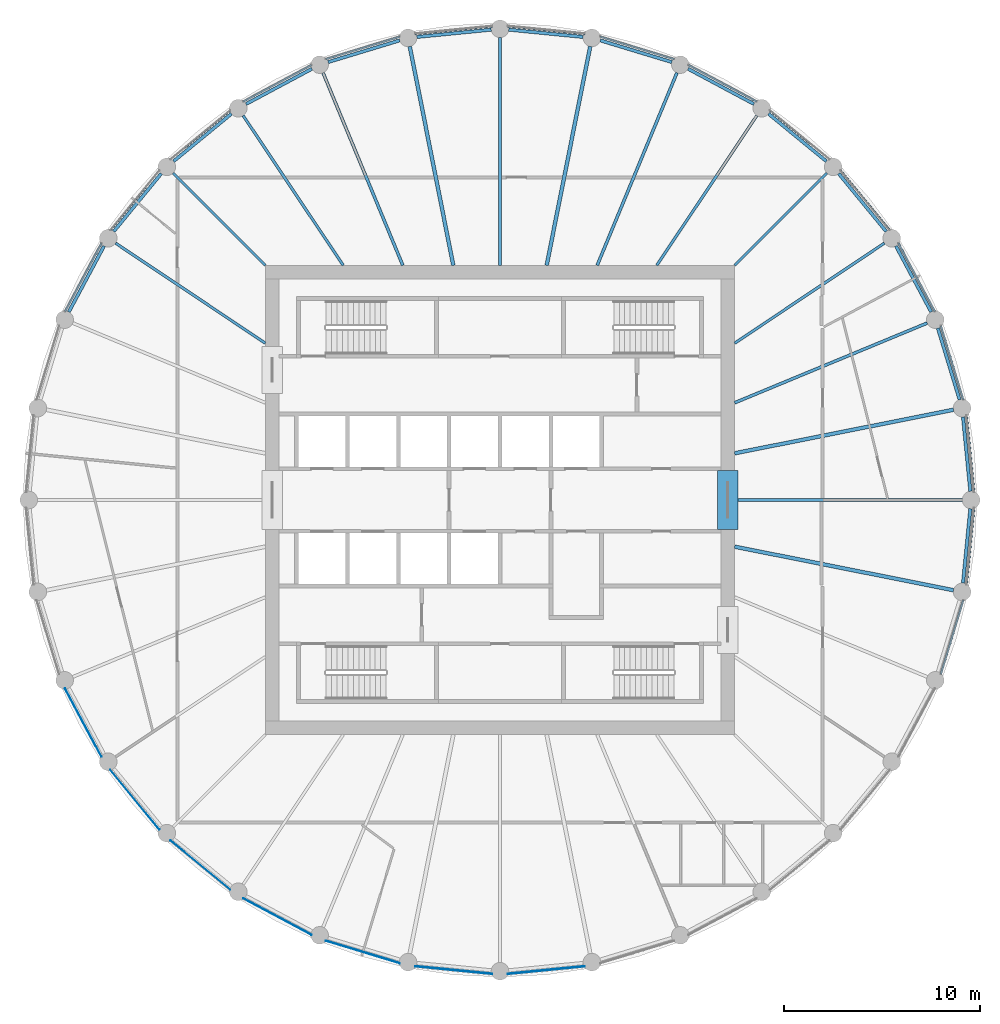
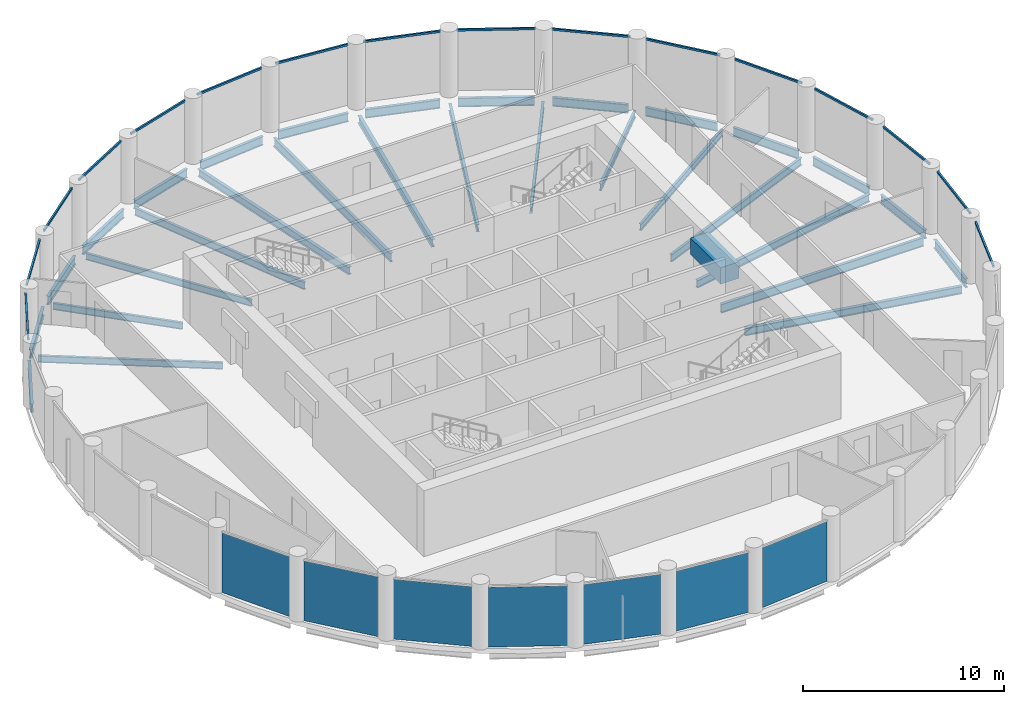
# One storey, part 2 of 7: 31 beams, 16 members, 7 plates, 23 elements without a shape of their own.
"""IFC4 building model written with IfcOpenShell, lengths in metres."""

from ifc_helpers import new_model, si_unit, direction, frame, origin, origin_2d, place, context, subcontext, project, spatial, rectangle, i_section, extrude, material, layer, layer_set, material_profile, profile_set, type_object, element, aggregate, save


model = new_model("IFC4")

# Units and contexts
model_context = context("Model", 3, precision=1e-05, world=origin(), true_north=direction((0.0, 1.0)))
body_context = subcontext(model_context, "Body", "Model", "MODEL_VIEW")
ifc_project = project(units=[si_unit("LENGTHUNIT", "METRE"), si_unit("AREAUNIT", "SQUARE_METRE"), si_unit("VOLUMEUNIT", "CUBIC_METRE"), si_unit("PLANEANGLEUNIT", "RADIAN"), si_unit("MASSUNIT", "GRAM", prefix="KILO")], contexts=[model_context])

# Site, building, storey
site_placement = place(None, origin())
site = spatial("IfcSite", under=ifc_project, at=site_placement, CompositionType="ELEMENT")
building_placement = place(site_placement, origin())
building = spatial("IfcBuilding", under=site, at=building_placement, Name="Corvane Civic Tower", CompositionType="ELEMENT")
storey_placement = place(building_placement, frame((0.0, 0.0, 267.0)))
storey = spatial("IfcBuildingStorey", under=building, at=storey_placement, Name="L63", CompositionType="ELEMENT", Elevation=267.0)

# Beams
ifc_material_1 = material(Name="Concrete C40/50", Category="concrete")
ifc_material_profile_1 = material_profile(ifc_material_1, rectangle(XDim=1.050048828125, YDim=1.0, at=origin_2d()), Name="COUPLING BEAM 1050X1000")
ifc_profile_set_1 = profile_set([ifc_material_profile_1], Name="Concrete C40/50")
beam_type_1 = type_object("IfcBeamType", Name="COUPLING BEAM COUPLING BEAM 1050X1000", PredefinedType="BEAM", material=ifc_profile_set_1)
beam_1_placement = place(storey_placement, frame((11.64990234375, -1.5, 2.60009765625), z_axis=(0.0, 1.0, 0.0), x_axis=(-1.0, 0.0, 0.0)))
element("IfcBeam", 1, at=beam_1_placement, inside=storey, type_object=beam_type_1, Name="BM-L63-cpl-CW-LE", PredefinedType="BEAM", context=body_context, shape_type="SweptSolid", body=[
    extrude(rectangle(XDim=1.050048828125, YDim=1.0, at=origin_2d()), origin(), (0.0, 0.0, 1.0), 3.0),
])
ifc_material_2 = material(Name="Steel ASTM A992 Gr 50", Category="steel")
ifc_material_profile_2 = material_profile(ifc_material_2, i_section(OverallWidth=0.165771484375, OverallDepth=0.5283203125, WebThickness=0.009765625, FlangeThickness=0.013671875, at=origin_2d()), Name="W21X50")
ifc_profile_set_2 = profile_set([ifc_material_profile_2], Name="Steel ASTM A992 Gr 50")
beam_type_2 = type_object("IfcBeamType", Name="EDGE BEAM W21X50", PredefinedType="BEAM", material=ifc_profile_set_2)
for number, where, z_axis, x_axis, name in (
    (2, (0.44775390625, 24.055908203125, -0.564208984375), (0.995187721162, -0.097986732007, 0.0), (0.097986732007, 0.995187721162, 0.0), "BM-L63-E01"),
    (3, (5.13232421875, 23.50634765625, -0.564208984375), (0.95692555902, -0.290333385085, 0.0), (0.290333385085, 0.95692555902, 0.0), "BM-L63-E02"),
):
    element("IfcBeam", number, at=place(storey_placement, frame(where, z_axis=z_axis, x_axis=x_axis)), inside=storey, type_object=beam_type_2, Name=name, PredefinedType="BEAM", context=body_context, shape_type="SweptSolid", body=[
        extrude(i_section(OverallWidth=0.165771484375, OverallDepth=0.5283203125, WebThickness=0.009765625, FlangeThickness=0.013671875, at=origin_2d()), origin(), (0.0, 0.0, 1.0), 3.824462890625),
    ])
beam_2_placement = place(storey_placement, frame((9.61962890625, 22.05322265625, -0.564208984375), z_axis=(0.881914279413, -0.471409804487, 0.0), x_axis=(0.471409804487, 0.881914279413, 0.0)))
element("IfcBeam", 4, at=beam_2_placement, inside=storey, type_object=beam_type_2, Name="BM-L63-E03", PredefinedType="BEAM", context=body_context, shape_type="SweptSolid", body=[
    extrude(i_section(OverallWidth=0.165771484375, OverallDepth=0.5283203125, WebThickness=0.009765625, FlangeThickness=0.013671875, at=origin_2d()), origin(), (0.0, 0.0, 1.0), 3.82421875),
])
for number, where, z_axis, x_axis, name in (
    (5, (13.737060546875, 19.7529296875, -0.564208984375), (0.772997914867, -0.634408562057, 0.0), (0.634408562057, 0.772997914867, 0.0), "BM-L63-E04"),
    (6, (17.32666015625, 16.693359375, -0.564208984375), (0.634408562057, -0.772997914867, 0.0), (0.772997914867, 0.634408562057, 0.0), "BM-L63-E05"),
):
    element("IfcBeam", number, at=place(storey_placement, frame(where, z_axis=z_axis, x_axis=x_axis)), inside=storey, type_object=beam_type_2, Name=name, PredefinedType="BEAM", context=body_context, shape_type="SweptSolid", body=[
        extrude(i_section(OverallWidth=0.165771484375, OverallDepth=0.5283203125, WebThickness=0.009765625, FlangeThickness=0.013671875, at=origin_2d()), origin(), (0.0, 0.0, 1.0), 3.824462890625),
    ])
beam_3_placement = place(storey_placement, frame((20.25048828125, 12.9921875, -0.564208984375), z_axis=(0.471409804487, -0.881914279413, 0.0), x_axis=(0.881914279413, 0.471409804487, 0.0)))
element("IfcBeam", 7, at=beam_3_placement, inside=storey, type_object=beam_type_2, Name="BM-L63-E06", PredefinedType="BEAM", context=body_context, shape_type="SweptSolid", body=[
    extrude(i_section(OverallWidth=0.165771484375, OverallDepth=0.5283203125, WebThickness=0.009765625, FlangeThickness=0.013671875, at=origin_2d()), origin(), (0.0, 0.0, 1.0), 3.82421875),
])
for number, where, z_axis, x_axis, name in (
    (8, (22.39599609375, 8.7919921875, -0.564208984375), (0.290333385085, -0.95692555902, 0.0), (0.95692555902, 0.290333385085, 0.0), "BM-L63-E07"),
    (9, (23.68115234375, 4.25390625, -0.564208984375), (0.097986732007, -0.995187721162, 0.0), (0.995187721162, 0.097986732007, 0.0), "BM-L63-E08"),
    (10, (24.055908203125, -0.44775390625, -0.564208984375), (-0.097986732007, -0.995187721162, 0.0), (0.995187721162, -0.097986732007, 0.0), "BM-L63-E09"),
):
    element("IfcBeam", number, at=place(storey_placement, frame(where, z_axis=z_axis, x_axis=x_axis)), inside=storey, type_object=beam_type_2, Name=name, PredefinedType="BEAM", context=body_context, shape_type="SweptSolid", body=[
        extrude(i_section(OverallWidth=0.165771484375, OverallDepth=0.5283203125, WebThickness=0.009765625, FlangeThickness=0.013671875, at=origin_2d()), origin(), (0.0, 0.0, 1.0), 3.824462890625),
    ])
beam_4_placement = place(storey_placement, frame((-22.05322265625, 9.61962890625, -0.564208984375), z_axis=(0.471409804487, 0.881914279413, 0.0), x_axis=(-0.881914279413, 0.471409804487, 0.0)))
element("IfcBeam", 11, at=beam_4_placement, inside=storey, type_object=beam_type_2, Name="BM-L63-E27", PredefinedType="BEAM", context=body_context, shape_type="SweptSolid", body=[
    extrude(i_section(OverallWidth=0.165771484375, OverallDepth=0.5283203125, WebThickness=0.009765625, FlangeThickness=0.013671875, at=origin_2d()), origin(), (0.0, 0.0, 1.0), 3.82421875),
])
for number, where, z_axis, x_axis, name in (
    (12, (-19.7529296875, 13.737060546875, -0.564208984375), (0.634408562057, 0.772997914867, 0.0), (-0.772997914867, 0.634408562057, 0.0), "BM-L63-E28"),
    (13, (-16.693359375, 17.32666015625, -0.564208984375), (0.772997914867, 0.634408562057, 0.0), (-0.634408562057, 0.772997914867, 0.0), "BM-L63-E29"),
):
    element("IfcBeam", number, at=place(storey_placement, frame(where, z_axis=z_axis, x_axis=x_axis)), inside=storey, type_object=beam_type_2, Name=name, PredefinedType="BEAM", context=body_context, shape_type="SweptSolid", body=[
        extrude(i_section(OverallWidth=0.165771484375, OverallDepth=0.5283203125, WebThickness=0.009765625, FlangeThickness=0.013671875, at=origin_2d()), origin(), (0.0, 0.0, 1.0), 3.824462890625),
    ])
beam_5_placement = place(storey_placement, frame((-12.9921875, 20.25048828125, -0.564208984375), z_axis=(0.881914279413, 0.471409804487, 0.0), x_axis=(-0.471409804487, 0.881914279413, 0.0)))
element("IfcBeam", 14, at=beam_5_placement, inside=storey, type_object=beam_type_2, Name="BM-L63-E30", PredefinedType="BEAM", context=body_context, shape_type="SweptSolid", body=[
    extrude(i_section(OverallWidth=0.165771484375, OverallDepth=0.5283203125, WebThickness=0.009765625, FlangeThickness=0.013671875, at=origin_2d()), origin(), (0.0, 0.0, 1.0), 3.82421875),
])
for number, where, z_axis, x_axis, name in (
    (15, (-8.7919921875, 22.39599609375, -0.564208984375), (0.95692555902, 0.290333385085, 0.0), (-0.290333385085, 0.95692555902, 0.0), "BM-L63-E31"),
    (16, (-4.25390625, 23.68115234375, -0.564208984375), (0.995187721162, 0.097986732007, 0.0), (-0.097986732007, 0.995187721162, 0.0), "BM-L63-E32"),
):
    element("IfcBeam", number, at=place(storey_placement, frame(where, z_axis=z_axis, x_axis=x_axis)), inside=storey, type_object=beam_type_2, Name=name, PredefinedType="BEAM", context=body_context, shape_type="SweptSolid", body=[
        extrude(i_section(OverallWidth=0.165771484375, OverallDepth=0.5283203125, WebThickness=0.009765625, FlangeThickness=0.013671875, at=origin_2d()), origin(), (0.0, 0.0, 1.0), 3.824462890625),
    ])
ifc_material_3 = material(Name="Steel ASTM A992 Gr 50", Category="steel")
ifc_material_profile_3 = material_profile(ifc_material_3, i_section(OverallWidth=0.140380859375, OverallDepth=0.40380859375, WebThickness=0.007080078125, FlangeThickness=0.01123046875, at=origin_2d()), Name="W16X31")
ifc_profile_set_3 = profile_set([ifc_material_profile_3], Name="Steel ASTM A992 Gr 50")
beam_type_3 = type_object("IfcBeamType", Name="FLOOR GIRDER W16X31", PredefinedType="BEAM", material=ifc_profile_set_3)
beam_6_placement = place(storey_placement, frame((8.01806640625, 12.0, -0.501953125), z_axis=(0.555567816355, 0.831471227061, 0.0), x_axis=(-0.831471227061, 0.555567816355, 0.0)))
element("IfcBeam", 17, at=beam_6_placement, inside=storey, type_object=beam_type_3, Name="BM-L63-G04", PredefinedType="BEAM", context=body_context, shape_type="SweptSolid", body=[
    extrude(i_section(OverallWidth=0.140380859375, OverallDepth=0.40380859375, WebThickness=0.007080078125, FlangeThickness=0.01123046875, at=origin_2d()), origin(), (0.0, 0.0, 1.0), 9.2177734375),
])
beam_7_placement = place(storey_placement, frame((12.0, 12.0, -0.501953125), z_axis=(0.707106781187, 0.707106781187, 0.0), x_axis=(-0.707106781187, 0.707106781187, 0.0)))
element("IfcBeam", 18, at=beam_7_placement, inside=storey, type_object=beam_type_3, Name="BM-L63-G05", PredefinedType="BEAM", context=body_context, shape_type="SweptSolid", body=[
    extrude(i_section(OverallWidth=0.140380859375, OverallDepth=0.40380859375, WebThickness=0.007080078125, FlangeThickness=0.01123046875, at=origin_2d()), origin(), (0.0, 0.0, 1.0), 6.679443359375),
])
for number, where, z_axis, x_axis, name in (
    (19, (12.0, 8.01806640625, -0.501953125), (0.831471227061, 0.555567816355, 0.0), (-0.555567816355, 0.831471227061, 0.0), "BM-L63-G06"),
    (20, (-12.0, 8.01806640625, -0.501953125), (-0.831471227061, 0.555567816355, 0.0), (-0.555567816355, -0.831471227061, 0.0), "BM-L63-G28"),
):
    element("IfcBeam", number, at=place(storey_placement, frame(where, z_axis=z_axis, x_axis=x_axis)), inside=storey, type_object=beam_type_3, Name=name, PredefinedType="BEAM", context=body_context, shape_type="SweptSolid", body=[
        extrude(i_section(OverallWidth=0.140380859375, OverallDepth=0.40380859375, WebThickness=0.007080078125, FlangeThickness=0.01123046875, at=origin_2d()), origin(), (0.0, 0.0, 1.0), 9.2177734375),
    ])
beam_8_placement = place(storey_placement, frame((-12.0, 12.0, -0.501953125), z_axis=(-0.707106781187, 0.707106781187, 0.0), x_axis=(-0.707106781187, -0.707106781187, 0.0)))
element("IfcBeam", 21, at=beam_8_placement, inside=storey, type_object=beam_type_3, Name="BM-L63-G29", PredefinedType="BEAM", context=body_context, shape_type="SweptSolid", body=[
    extrude(i_section(OverallWidth=0.140380859375, OverallDepth=0.40380859375, WebThickness=0.007080078125, FlangeThickness=0.01123046875, at=origin_2d()), origin(), (0.0, 0.0, 1.0), 6.679443359375),
])
beam_9_placement = place(storey_placement, frame((-8.01806640625, 12.0, -0.501953125), z_axis=(-0.555567816355, 0.831471227061, 0.0), x_axis=(-0.831471227061, -0.555567816355, 0.0)))
element("IfcBeam", 22, at=beam_9_placement, inside=storey, type_object=beam_type_3, Name="BM-L63-G30", PredefinedType="BEAM", context=body_context, shape_type="SweptSolid", body=[
    extrude(i_section(OverallWidth=0.140380859375, OverallDepth=0.40380859375, WebThickness=0.007080078125, FlangeThickness=0.01123046875, at=origin_2d()), origin(), (0.0, 0.0, 1.0), 9.2177734375),
])
ifc_material_4 = material(Name="Steel ASTM A992 Gr 50", Category="steel")
ifc_material_profile_4 = material_profile(ifc_material_4, i_section(OverallWidth=0.15283203125, OverallDepth=0.45458984375, WebThickness=0.008056640625, FlangeThickness=0.013427734375, at=origin_2d()), Name="W18X40")
ifc_profile_set_4 = profile_set([ifc_material_profile_4], Name="Steel ASTM A992 Gr 50")
beam_type_4 = type_object("IfcBeamType", Name="FLOOR GIRDER W18X40", PredefinedType="BEAM", material=ifc_profile_set_4)
for number, where, z_axis, x_axis, name in (
    (23, (4.970458984375, 12.0, -0.52734375), (0.382694257331, 0.923875048589, 0.0), (-0.923875048589, 0.382694257331, 0.0), "BM-L63-G03"),
    (24, (12.0, 4.970458984375, -0.52734375), (0.923875048589, 0.382694257331, 0.0), (-0.382694257331, 0.923875048589, 0.0), "BM-L63-G07"),
    (25, (-4.970458984375, 12.0, -0.52734375), (-0.382694257331, 0.923875048589, 0.0), (-0.923875048589, -0.382694257331, 0.0), "BM-L63-G31"),
):
    element("IfcBeam", number, at=place(storey_placement, frame(where, z_axis=z_axis, x_axis=x_axis)), inside=storey, type_object=beam_type_4, Name=name, PredefinedType="BEAM", context=body_context, shape_type="SweptSolid", body=[
        extrude(i_section(OverallWidth=0.15283203125, OverallDepth=0.45458984375, WebThickness=0.008056640625, FlangeThickness=0.013427734375, at=origin_2d()), origin(), (0.0, 0.0, 1.0), 10.661376953125),
    ])
ifc_material_5 = material(Name="Steel ASTM A992 Gr 50", Category="steel")
ifc_material_profile_5 = material_profile(ifc_material_5, i_section(OverallWidth=0.1904296875, OverallDepth=0.457275390625, WebThickness=0.009033203125, FlangeThickness=0.014404296875, at=origin_2d()), Name="W18X50")
ifc_profile_set_5 = profile_set([ifc_material_profile_5], Name="Steel ASTM A992 Gr 50")
beam_type_5 = type_object("IfcBeamType", Name="FLOOR GIRDER W18X50", PredefinedType="BEAM", material=ifc_profile_set_5)
for number, where, z_axis, x_axis, name in (
    (26, (2.386962890625, 12.0, -0.528564453125), (0.195079532402, 0.980787426529, 0.0), (-0.980787426529, 0.195079532402, 0.0), "BM-L63-G02"),
    (27, (12.0, 2.386962890625, -0.528564453125), (0.980787426529, 0.195079532402, 0.0), (-0.195079532402, 0.980787426529, 0.0), "BM-L63-G08"),
    (28, (12.0, -2.386962890625, -0.528564453125), (0.980787426529, -0.195079532402, 0.0), (0.195079532402, 0.980787426529, 0.0), "BM-L63-G10"),
    (29, (-2.386962890625, 12.0, -0.528564453125), (-0.195079532402, 0.980787426529, 0.0), (-0.980787426529, -0.195079532402, 0.0), "BM-L63-G32"),
):
    element("IfcBeam", number, at=place(storey_placement, frame(where, z_axis=z_axis, x_axis=x_axis)), inside=storey, type_object=beam_type_5, Name=name, PredefinedType="BEAM", context=body_context, shape_type="SweptSolid", body=[
        extrude(i_section(OverallWidth=0.1904296875, OverallDepth=0.457275390625, WebThickness=0.009033203125, FlangeThickness=0.014404296875, at=origin_2d()), origin(), (0.0, 0.0, 1.0), 11.414794921875),
    ])
ifc_material_6 = material(Name="Steel ASTM A992 Gr 50", Category="steel")
ifc_material_profile_6 = material_profile(ifc_material_6, i_section(OverallWidth=0.165771484375, OverallDepth=0.5283203125, WebThickness=0.009765625, FlangeThickness=0.013671875, at=origin_2d()), Name="W21X50")
ifc_profile_set_6 = profile_set([ifc_material_profile_6], Name="Steel ASTM A992 Gr 50")
beam_type_6 = type_object("IfcBeamType", Name="FLOOR GIRDER W21X50", PredefinedType="BEAM", material=ifc_profile_set_6)
for number, where, z_axis, x_axis, name in (
    (30, (0.0, 12.0, -0.564208984375), (0.0, 1.0, 0.0), (-1.0, 0.0, 0.0), "BM-L63-G01"),
    (31, (12.0, 0.0, -0.564208984375), (1.0, 0.0, 0.0), (0.0, 1.0, 0.0), "BM-L63-G09"),
):
    element("IfcBeam", number, at=place(storey_placement, frame(where, z_axis=z_axis, x_axis=x_axis)), inside=storey, type_object=beam_type_6, Name=name, PredefinedType="BEAM", context=body_context, shape_type="SweptSolid", body=[
        extrude(i_section(OverallWidth=0.165771484375, OverallDepth=0.5283203125, WebThickness=0.009765625, FlangeThickness=0.013671875, at=origin_2d()), origin(), (0.0, 0.0, 1.0), 11.64990234375),
    ])

# Curtain wall, member
ifc_material_7 = material(Name="Anodised aluminium bronze", Category="aluminium")
curtain_wall_type = type_object("IfcCurtainWallType", Name="TOWER CW-T3 STICK CURTAIN WALL", PredefinedType="NOTDEFINED", material=ifc_material_7)
curtain_wall_1_placement = place(storey_placement, origin())
curtain_wall_1 = element("IfcCurtainWall", 32, at=curtain_wall_1_placement, inside=storey, type_object=curtain_wall_type, Name="Curtain wall CW-T3 L63 bay 01", PredefinedType="NOTDEFINED")
ifc_material_8 = material(Name="Anodised aluminium bronze", Category="aluminium")
ifc_material_profile_7 = material_profile(ifc_material_8, rectangle(XDim=0.10009765625, YDim=0.1201171875, at=origin_2d()), Name="TOWER CW-T3 TRANSOM 100x120")
ifc_profile_set_7 = profile_set([ifc_material_profile_7], Name="Anodised aluminium bronze")
member_type = type_object("IfcMemberType", Name="TOWER CW-T3 TRANSOM 100x120", PredefinedType="USERDEFINED", material=ifc_profile_set_7)
member_1_placement = place(storey_placement, frame((0.3984375, 24.24072265625, 3.68994140625), z_axis=(0.995186866683, -0.097995409999, 0.0), x_axis=(0.097995409999, 0.995186866683, 0.0)))
member_1 = element("IfcMember", 33, at=member_1_placement, type_object=member_type, Name="Transom CW-T3 L63 01.1", ObjectType="TRANSOM", PredefinedType="USERDEFINED", context=body_context, shape_type="SweptSolid", body=[
    extrude(rectangle(XDim=0.10009765625, YDim=0.1201171875, at=origin_2d()), origin(), (0.0, 0.0, 1.0), 3.958740234375),
])
aggregate(curtain_wall_1, [member_1])

curtain_wall_2_placement = place(storey_placement, origin())
curtain_wall_2 = element("IfcCurtainWall", 34, at=curtain_wall_2_placement, inside=storey, type_object=curtain_wall_type, Name="Curtain wall CW-T3 L63 bay 02", PredefinedType="NOTDEFINED")
member_2_placement = place(storey_placement, frame((5.119873046875, 23.697265625, 3.68994140625), z_axis=(0.956946054205, -0.290265825309, 0.0), x_axis=(0.290265825309, 0.956946054205, 0.0)))
member_2 = element("IfcMember", 35, at=member_2_placement, type_object=member_type, Name="Transom CW-T3 L63 02.1", ObjectType="TRANSOM", PredefinedType="USERDEFINED", context=body_context, shape_type="SweptSolid", body=[
    extrude(rectangle(XDim=0.10009765625, YDim=0.1201171875, at=origin_2d()), origin(), (0.0, 0.0, 1.0), 3.958984375),
])
aggregate(curtain_wall_2, [member_2])

curtain_wall_3_placement = place(storey_placement, origin())
curtain_wall_3 = element("IfcCurtainWall", 36, at=curtain_wall_3_placement, inside=storey, type_object=curtain_wall_type, Name="Curtain wall CW-T3 L63 bay 03", PredefinedType="NOTDEFINED")
member_3_placement = place(storey_placement, frame((9.644775390625, 22.2431640625, 3.68994140625), z_axis=(0.881883040816, -0.471468241052, 0.0), x_axis=(0.471468241052, 0.881883040816, 0.0)))
member_3 = element("IfcMember", 37, at=member_3_placement, type_object=member_type, Name="Transom CW-T3 L63 03.1", ObjectType="TRANSOM", PredefinedType="USERDEFINED", context=body_context, shape_type="SweptSolid", body=[
    extrude(rectangle(XDim=0.10009765625, YDim=0.1201171875, at=origin_2d()), origin(), (0.0, 0.0, 1.0), 3.958740234375),
])
aggregate(curtain_wall_3, [member_3])

curtain_wall_4_placement = place(storey_placement, origin())
curtain_wall_4 = element("IfcCurtainWall", 38, at=curtain_wall_4_placement, inside=storey, type_object=curtain_wall_type, Name="Curtain wall CW-T3 L63 bay 04", PredefinedType="NOTDEFINED")
member_4_placement = place(storey_placement, frame((13.798828125, 19.93408203125, 3.68994140625), z_axis=(0.772991943051, -0.634415838373, 0.0), x_axis=(0.634415838373, 0.772991943051, 0.0)))
member_4 = element("IfcMember", 39, at=member_4_placement, type_object=member_type, Name="Transom CW-T3 L63 04.1", ObjectType="TRANSOM", PredefinedType="USERDEFINED", context=body_context, shape_type="SweptSolid", body=[
    extrude(rectangle(XDim=0.10009765625, YDim=0.1201171875, at=origin_2d()), origin(), (0.0, 0.0, 1.0), 3.958740234375),
])
aggregate(curtain_wall_4, [member_4])

curtain_wall_5_placement = place(storey_placement, origin())
curtain_wall_5 = element("IfcCurtainWall", 40, at=curtain_wall_5_placement, inside=storey, type_object=curtain_wall_type, Name="Curtain wall CW-T3 L63 bay 05", PredefinedType="NOTDEFINED")
member_5_placement = place(storey_placement, frame((17.422607421875, 16.85888671875, 3.68994140625), z_axis=(0.634415838373, -0.772991943051, 0.0), x_axis=(0.772991943051, 0.634415838373, 0.0)))
member_5 = element("IfcMember", 41, at=member_5_placement, type_object=member_type, Name="Transom CW-T3 L63 05.1", ObjectType="TRANSOM", PredefinedType="USERDEFINED", context=body_context, shape_type="SweptSolid", body=[
    extrude(rectangle(XDim=0.10009765625, YDim=0.1201171875, at=origin_2d()), origin(), (0.0, 0.0, 1.0), 3.958740234375),
])
aggregate(curtain_wall_5, [member_5])

curtain_wall_6_placement = place(storey_placement, origin())
curtain_wall_6 = element("IfcCurtainWall", 42, at=curtain_wall_6_placement, inside=storey, type_object=curtain_wall_type, Name="Curtain wall CW-T3 L63 bay 06", PredefinedType="NOTDEFINED")
member_6_placement = place(storey_placement, frame((20.376708984375, 13.135986328125, 3.68994140625), z_axis=(0.471468241052, -0.881883040816, 0.0), x_axis=(0.881883040816, 0.471468241052, 0.0)))
member_6 = element("IfcMember", 43, at=member_6_placement, type_object=member_type, Name="Transom CW-T3 L63 06.1", ObjectType="TRANSOM", PredefinedType="USERDEFINED", context=body_context, shape_type="SweptSolid", body=[
    extrude(rectangle(XDim=0.10009765625, YDim=0.1201171875, at=origin_2d()), origin(), (0.0, 0.0, 1.0), 3.958740234375),
])
aggregate(curtain_wall_6, [member_6])

curtain_wall_7_placement = place(storey_placement, origin())
curtain_wall_7 = element("IfcCurtainWall", 44, at=curtain_wall_7_placement, inside=storey, type_object=curtain_wall_type, Name="Curtain wall CW-T3 L63 bay 07", PredefinedType="NOTDEFINED")
member_7_placement = place(storey_placement, frame((22.548095703125, 8.908447265625, 3.68994140625), z_axis=(0.290265825309, -0.956946054205, 0.0), x_axis=(0.956946054205, 0.290265825309, 0.0)))
member_7 = element("IfcMember", 45, at=member_7_placement, type_object=member_type, Name="Transom CW-T3 L63 07.1", ObjectType="TRANSOM", PredefinedType="USERDEFINED", context=body_context, shape_type="SweptSolid", body=[
    extrude(rectangle(XDim=0.10009765625, YDim=0.1201171875, at=origin_2d()), origin(), (0.0, 0.0, 1.0), 3.958984375),
])
aggregate(curtain_wall_7, [member_7])

curtain_wall_8_placement = place(storey_placement, origin())
curtain_wall_8 = element("IfcCurtainWall", 46, at=curtain_wall_8_placement, inside=storey, type_object=curtain_wall_type, Name="Curtain wall CW-T3 L63 bay 08", PredefinedType="NOTDEFINED")
member_8_placement = place(storey_placement, frame((23.852783203125, 4.338134765625, 3.68994140625), z_axis=(0.097995409999, -0.995186866683, 0.0), x_axis=(0.995186866683, 0.097995409999, 0.0)))
member_8 = element("IfcMember", 47, at=member_8_placement, type_object=member_type, Name="Transom CW-T3 L63 08.1", ObjectType="TRANSOM", PredefinedType="USERDEFINED", context=body_context, shape_type="SweptSolid", body=[
    extrude(rectangle(XDim=0.10009765625, YDim=0.1201171875, at=origin_2d()), origin(), (0.0, 0.0, 1.0), 3.958740234375),
])
aggregate(curtain_wall_8, [member_8])

curtain_wall_9_placement = place(storey_placement, origin())
curtain_wall_9 = element("IfcCurtainWall", 48, at=curtain_wall_9_placement, inside=storey, type_object=curtain_wall_type, Name="Curtain wall CW-T3 L63 bay 09", PredefinedType="NOTDEFINED")
member_9_placement = place(storey_placement, frame((24.24072265625, -0.3984375, 3.68994140625), z_axis=(-0.097995409999, -0.995186866683, 0.0), x_axis=(0.995186866683, -0.097995409999, 0.0)))
member_9 = element("IfcMember", 49, at=member_9_placement, type_object=member_type, Name="Transom CW-T3 L63 09.1", ObjectType="TRANSOM", PredefinedType="USERDEFINED", context=body_context, shape_type="SweptSolid", body=[
    extrude(rectangle(XDim=0.10009765625, YDim=0.1201171875, at=origin_2d()), origin(), (0.0, 0.0, 1.0), 3.958740234375),
])
aggregate(curtain_wall_9, [member_9])

curtain_wall_10_placement = place(storey_placement, origin())
curtain_wall_10 = element("IfcCurtainWall", 50, at=curtain_wall_10_placement, inside=storey, type_object=curtain_wall_type, Name="Curtain wall CW-T3 L63 bay 10", PredefinedType="NOTDEFINED")
member_10_placement = place(storey_placement, frame((23.697265625, -5.119873046875, 3.68994140625), z_axis=(-0.290265825309, -0.956946054205, 0.0), x_axis=(0.956946054205, -0.290265825309, 0.0)))
member_10 = element("IfcMember", 51, at=member_10_placement, type_object=member_type, Name="Transom CW-T3 L63 10.1", ObjectType="TRANSOM", PredefinedType="USERDEFINED", context=body_context, shape_type="SweptSolid", body=[
    extrude(rectangle(XDim=0.10009765625, YDim=0.1201171875, at=origin_2d()), origin(), (0.0, 0.0, 1.0), 3.958984375),
])
aggregate(curtain_wall_10, [member_10])

curtain_wall_11_placement = place(storey_placement, origin())
curtain_wall_11 = element("IfcCurtainWall", 52, at=curtain_wall_11_placement, inside=storey, type_object=curtain_wall_type, Name="Curtain wall CW-T3 L63 bay 27", PredefinedType="NOTDEFINED")
member_11_placement = place(storey_placement, frame((-22.2431640625, 9.644775390625, 3.68994140625), z_axis=(0.471468241052, 0.881883040816, 0.0), x_axis=(-0.881883040816, 0.471468241052, 0.0)))
member_11 = element("IfcMember", 53, at=member_11_placement, type_object=member_type, Name="Transom CW-T3 L63 27.1", ObjectType="TRANSOM", PredefinedType="USERDEFINED", context=body_context, shape_type="SweptSolid", body=[
    extrude(rectangle(XDim=0.10009765625, YDim=0.1201171875, at=origin_2d()), origin(), (0.0, 0.0, 1.0), 3.958740234375),
])
aggregate(curtain_wall_11, [member_11])

curtain_wall_12_placement = place(storey_placement, origin())
curtain_wall_12 = element("IfcCurtainWall", 54, at=curtain_wall_12_placement, inside=storey, type_object=curtain_wall_type, Name="Curtain wall CW-T3 L63 bay 28", PredefinedType="NOTDEFINED")
member_12_placement = place(storey_placement, frame((-19.93408203125, 13.798828125, 3.68994140625), z_axis=(0.634415838373, 0.772991943051, 0.0), x_axis=(-0.772991943051, 0.634415838373, 0.0)))
member_12 = element("IfcMember", 55, at=member_12_placement, type_object=member_type, Name="Transom CW-T3 L63 28.1", ObjectType="TRANSOM", PredefinedType="USERDEFINED", context=body_context, shape_type="SweptSolid", body=[
    extrude(rectangle(XDim=0.10009765625, YDim=0.1201171875, at=origin_2d()), origin(), (0.0, 0.0, 1.0), 3.958740234375),
])
aggregate(curtain_wall_12, [member_12])

curtain_wall_13_placement = place(storey_placement, origin())
curtain_wall_13 = element("IfcCurtainWall", 56, at=curtain_wall_13_placement, inside=storey, type_object=curtain_wall_type, Name="Curtain wall CW-T3 L63 bay 29", PredefinedType="NOTDEFINED")
member_13_placement = place(storey_placement, frame((-16.85888671875, 17.422607421875, 3.68994140625), z_axis=(0.772991943051, 0.634415838373, 0.0), x_axis=(-0.634415838373, 0.772991943051, 0.0)))
member_13 = element("IfcMember", 57, at=member_13_placement, type_object=member_type, Name="Transom CW-T3 L63 29.1", ObjectType="TRANSOM", PredefinedType="USERDEFINED", context=body_context, shape_type="SweptSolid", body=[
    extrude(rectangle(XDim=0.10009765625, YDim=0.1201171875, at=origin_2d()), origin(), (0.0, 0.0, 1.0), 3.958740234375),
])
aggregate(curtain_wall_13, [member_13])

curtain_wall_14_placement = place(storey_placement, origin())
curtain_wall_14 = element("IfcCurtainWall", 58, at=curtain_wall_14_placement, inside=storey, type_object=curtain_wall_type, Name="Curtain wall CW-T3 L63 bay 30", PredefinedType="NOTDEFINED")
member_14_placement = place(storey_placement, frame((-13.135986328125, 20.376708984375, 3.68994140625), z_axis=(0.881883040816, 0.471468241052, 0.0), x_axis=(-0.471468241052, 0.881883040816, 0.0)))
member_14 = element("IfcMember", 59, at=member_14_placement, type_object=member_type, Name="Transom CW-T3 L63 30.1", ObjectType="TRANSOM", PredefinedType="USERDEFINED", context=body_context, shape_type="SweptSolid", body=[
    extrude(rectangle(XDim=0.10009765625, YDim=0.1201171875, at=origin_2d()), origin(), (0.0, 0.0, 1.0), 3.958740234375),
])
aggregate(curtain_wall_14, [member_14])

curtain_wall_15_placement = place(storey_placement, origin())
curtain_wall_15 = element("IfcCurtainWall", 60, at=curtain_wall_15_placement, inside=storey, type_object=curtain_wall_type, Name="Curtain wall CW-T3 L63 bay 31", PredefinedType="NOTDEFINED")
member_15_placement = place(storey_placement, frame((-8.908447265625, 22.548095703125, 3.68994140625), z_axis=(0.956946054205, 0.290265825309, 0.0), x_axis=(-0.290265825309, 0.956946054205, 0.0)))
member_15 = element("IfcMember", 61, at=member_15_placement, type_object=member_type, Name="Transom CW-T3 L63 31.1", ObjectType="TRANSOM", PredefinedType="USERDEFINED", context=body_context, shape_type="SweptSolid", body=[
    extrude(rectangle(XDim=0.10009765625, YDim=0.1201171875, at=origin_2d()), origin(), (0.0, 0.0, 1.0), 3.958984375),
])
aggregate(curtain_wall_15, [member_15])

curtain_wall_16_placement = place(storey_placement, origin())
curtain_wall_16 = element("IfcCurtainWall", 62, at=curtain_wall_16_placement, inside=storey, type_object=curtain_wall_type, Name="Curtain wall CW-T3 L63 bay 32", PredefinedType="NOTDEFINED")
member_16_placement = place(storey_placement, frame((-4.338134765625, 23.852783203125, 3.68994140625), z_axis=(0.995186866683, 0.097995409999, 0.0), x_axis=(-0.097995409999, 0.995186866683, 0.0)))
member_16 = element("IfcMember", 63, at=member_16_placement, type_object=member_type, Name="Transom CW-T3 L63 32.1", ObjectType="TRANSOM", PredefinedType="USERDEFINED", context=body_context, shape_type="SweptSolid", body=[
    extrude(rectangle(XDim=0.10009765625, YDim=0.1201171875, at=origin_2d()), origin(), (0.0, 0.0, 1.0), 3.958740234375),
])
aggregate(curtain_wall_16, [member_16])

# Curtain wall, plate
curtain_wall_17_placement = place(storey_placement, origin())
curtain_wall_17 = element("IfcCurtainWall", 64, at=curtain_wall_17_placement, inside=storey, type_object=curtain_wall_type, Name="Curtain wall CW-T3 L63 bay 16", PredefinedType="NOTDEFINED")
ifc_material_9 = material(Name="Tinted glass", Category="glass")
ifc_layer = layer(ifc_material_9, 0.028076171875)
ifc_layer_set = layer_set([ifc_layer], Name="Tinted glass")
plate_type = type_object("IfcPlateType", Name="TOWER CW-T3 PANEL IGU28", PredefinedType="CURTAIN_PANEL", material=ifc_layer_set)
plate_1_placement = place(storey_placement, frame((2.368408203125, -24.046875, 0.0), z_axis=(0.0, 0.0, 1.0), x_axis=(-0.99518437747, -0.098020685775, 0.0)))
plate_1 = element("IfcPlate", 65, at=plate_1_placement, type_object=plate_type, Name="Glass panel CW-T3 L63 16.1", PredefinedType="CURTAIN_PANEL", context=body_context, shape_type="SweptSolid", body=[
    extrude(rectangle(XDim=3.958740234375, YDim=0.028076171875, at=origin_2d()), origin(), (0.0, 0.0, 1.0), 3.6298828125),
])
aggregate(curtain_wall_17, [plate_1])

curtain_wall_18_placement = place(storey_placement, origin())
curtain_wall_18 = element("IfcCurtainWall", 66, at=curtain_wall_18_placement, inside=storey, type_object=curtain_wall_type, Name="Curtain wall CW-T3 L63 bay 17", PredefinedType="NOTDEFINED")
plate_2_placement = place(storey_placement, frame((-2.368408203125, -24.046875, 0.0), z_axis=(0.0, 0.0, 1.0), x_axis=(-0.99518437747, 0.098020685775, 0.0)))
plate_2 = element("IfcPlate", 67, at=plate_2_placement, type_object=plate_type, Name="Glass panel CW-T3 L63 17.1", PredefinedType="CURTAIN_PANEL", context=body_context, shape_type="SweptSolid", body=[
    extrude(rectangle(XDim=3.958740234375, YDim=0.028076171875, at=origin_2d()), origin(), (0.0, 0.0, 1.0), 3.6298828125),
])
aggregate(curtain_wall_18, [plate_2])

curtain_wall_19_placement = place(storey_placement, origin())
curtain_wall_19 = element("IfcCurtainWall", 68, at=curtain_wall_19_placement, inside=storey, type_object=curtain_wall_type, Name="Curtain wall CW-T3 L63 bay 18", PredefinedType="NOTDEFINED")
plate_3_placement = place(storey_placement, frame((-7.01416015625, -23.12255859375, 0.0), z_axis=(0.0, 0.0, 1.0), x_axis=(-0.956943694519, 0.290273604586, 0.0)))
plate_3 = element("IfcPlate", 69, at=plate_3_placement, type_object=plate_type, Name="Glass panel CW-T3 L63 18.1", PredefinedType="CURTAIN_PANEL", context=body_context, shape_type="SweptSolid", body=[
    extrude(rectangle(XDim=3.958984375, YDim=0.028076171875, at=origin_2d()), origin(), (0.0, 0.0, 1.0), 3.6298828125),
])
aggregate(curtain_wall_19, [plate_3])

curtain_wall_20_placement = place(storey_placement, origin())
curtain_wall_20 = element("IfcCurtainWall", 70, at=curtain_wall_20_placement, inside=storey, type_object=curtain_wall_type, Name="Curtain wall CW-T3 L63 bay 19", PredefinedType="NOTDEFINED")
plate_4_placement = place(storey_placement, frame((-11.390380859375, -21.31005859375, 0.0), z_axis=(0.0, 0.0, 1.0), x_axis=(-0.881908138655, 0.471421292448, 0.0)))
plate_4 = element("IfcPlate", 71, at=plate_4_placement, type_object=plate_type, Name="Glass panel CW-T3 L63 19.1", PredefinedType="CURTAIN_PANEL", context=body_context, shape_type="SweptSolid", body=[
    extrude(rectangle(XDim=3.958740234375, YDim=0.028076171875, at=origin_2d()), origin(), (0.0, 0.0, 1.0), 3.6298828125),
])
aggregate(curtain_wall_20, [plate_4])

curtain_wall_21_placement = place(storey_placement, origin())
curtain_wall_21 = element("IfcCurtainWall", 72, at=curtain_wall_21_placement, inside=storey, type_object=curtain_wall_type, Name="Curtain wall CW-T3 L63 bay 20", PredefinedType="NOTDEFINED")
plate_5_placement = place(storey_placement, frame((-15.328857421875, -18.67822265625, 0.0), z_axis=(0.0, 0.0, 1.0), x_axis=(-0.773001130565, 0.634404643855, 0.0)))
plate_5 = element("IfcPlate", 73, at=plate_5_placement, type_object=plate_type, Name="Glass panel CW-T3 L63 20.1", PredefinedType="CURTAIN_PANEL", context=body_context, shape_type="SweptSolid", body=[
    extrude(rectangle(XDim=3.958740234375, YDim=0.028076171875, at=origin_2d()), origin(), (0.0, 0.0, 1.0), 3.6298828125),
])
aggregate(curtain_wall_21, [plate_5])

curtain_wall_22_placement = place(storey_placement, origin())
curtain_wall_22 = element("IfcCurtainWall", 74, at=curtain_wall_22_placement, inside=storey, type_object=curtain_wall_type, Name="Curtain wall CW-T3 L63 bay 21", PredefinedType="NOTDEFINED")
plate_6_placement = place(storey_placement, frame((-18.67822265625, -15.328857421875, 0.0), z_axis=(0.0, 0.0, 1.0), x_axis=(-0.634404643855, 0.773001130565, 0.0)))
plate_6 = element("IfcPlate", 75, at=plate_6_placement, type_object=plate_type, Name="Glass panel CW-T3 L63 21.1", PredefinedType="CURTAIN_PANEL", context=body_context, shape_type="SweptSolid", body=[
    extrude(rectangle(XDim=3.958740234375, YDim=0.028076171875, at=origin_2d()), origin(), (0.0, 0.0, 1.0), 3.6298828125),
])
aggregate(curtain_wall_22, [plate_6])

curtain_wall_23_placement = place(storey_placement, origin())
curtain_wall_23 = element("IfcCurtainWall", 76, at=curtain_wall_23_placement, inside=storey, type_object=curtain_wall_type, Name="Curtain wall CW-T3 L63 bay 22", PredefinedType="NOTDEFINED")
plate_7_placement = place(storey_placement, frame((-21.31005859375, -11.390380859375, 0.0), z_axis=(0.0, 0.0, 1.0), x_axis=(-0.471421292448, 0.881908138655, 0.0)))
plate_7 = element("IfcPlate", 77, at=plate_7_placement, type_object=plate_type, Name="Glass panel CW-T3 L63 22.1", PredefinedType="CURTAIN_PANEL", context=body_context, shape_type="SweptSolid", body=[
    extrude(rectangle(XDim=3.958740234375, YDim=0.028076171875, at=origin_2d()), origin(), (0.0, 0.0, 1.0), 3.6298828125),
])
aggregate(curtain_wall_23, [plate_7])

save(model, "model.ifc")
